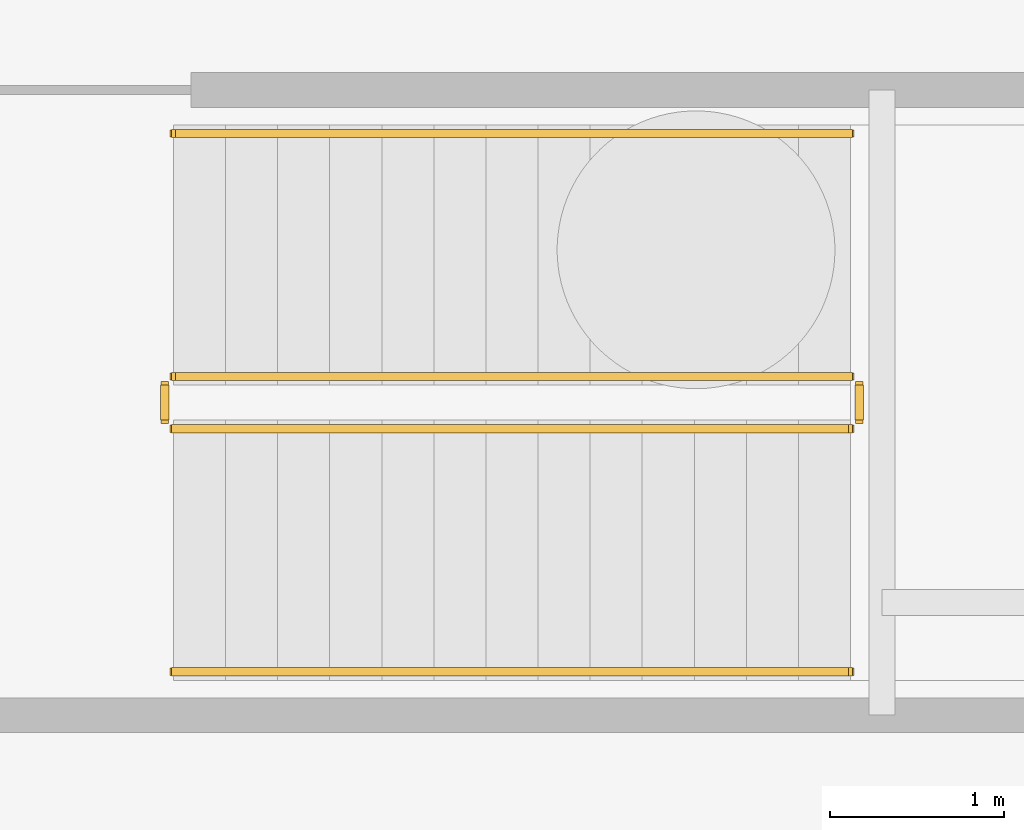
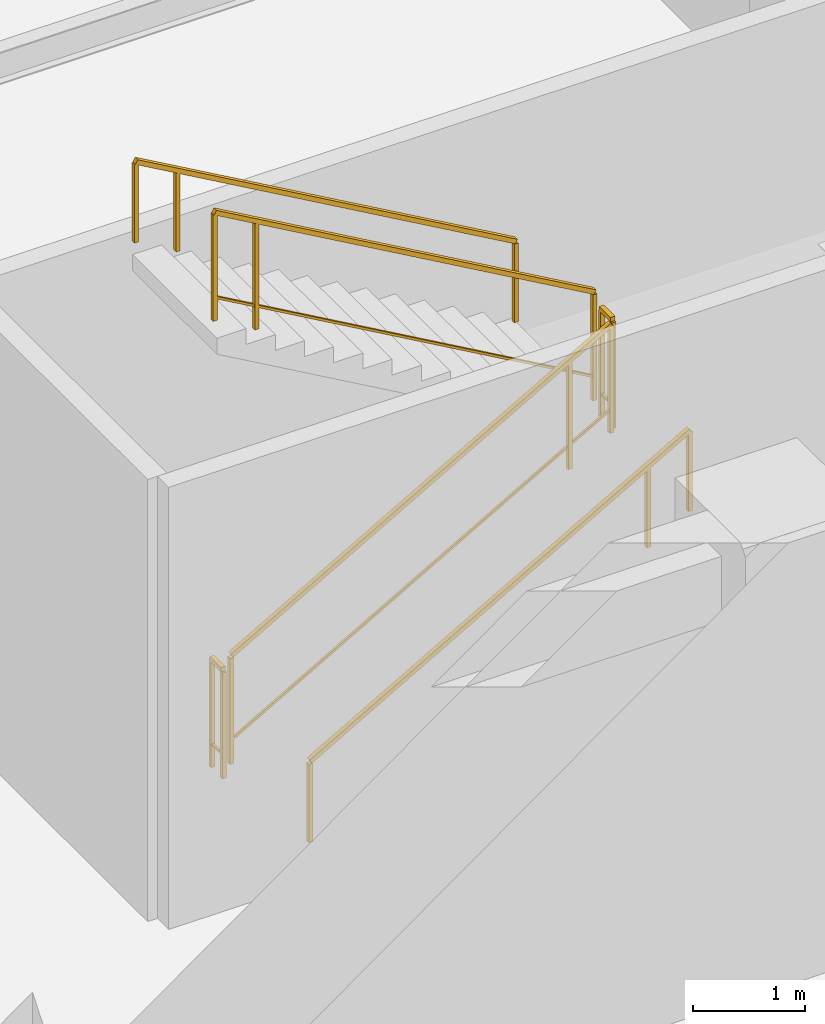
# One storey, part 11 of 13: 6 railings.
"""IFC4 building model written with IfcOpenShell, lengths in metres."""

from ifc_helpers import new_model, si_unit, direction, frame, origin, origin_2d, place, context, subcontext, project, spatial, rectangle, extrude, material, type_object, element, save


model = new_model("IFC4")

# Units and contexts
model_context = context("Model", 3, precision=1e-05, world=origin(), true_north=direction((0.0, 1.0)))
body_context = subcontext(model_context, "Body", "Model", "MODEL_VIEW")
ifc_project = project(units=[si_unit("LENGTHUNIT", "METRE"), si_unit("AREAUNIT", "SQUARE_METRE"), si_unit("VOLUMEUNIT", "CUBIC_METRE"), si_unit("PLANEANGLEUNIT", "RADIAN"), si_unit("MASSUNIT", "GRAM", prefix="KILO")], contexts=[model_context])

# Site, building, storey
site_placement = place(None, origin())
site = spatial("IfcSite", under=ifc_project, at=site_placement, CompositionType="ELEMENT")
building_placement = place(site_placement, origin())
building = spatial("IfcBuilding", under=site, at=building_placement, Name="Svetorya Sky Lyceum", CompositionType="ELEMENT")
storey_placement = place(building_placement, frame((0.0, 0.0, -4.800048828125)))
storey = spatial("IfcBuildingStorey", under=building, at=storey_placement, Name="B01", CompositionType="ELEMENT", Elevation=-4.800048828125)

# Railings
ifc_material_1 = material(Name="Painted galvanized stair well guard")
railing_type_1 = type_object("IfcRailingType", Name="RL-STR-GUARD-1200", PredefinedType="GUARDRAIL", material=ifc_material_1)
railing_1_placement = place(storey_placement, frame((68.25, 5.25, 0.17138671875)))
element("IfcRailing", 1, at=railing_1_placement, inside=storey, type_object=railing_type_1, Name="B01 ST-B2 stair guard 1", PredefinedType="GUARDRAIL", context=body_context, shape_type="SweptSolid", body=[
    extrude(rectangle(XDim=0.048095703125, YDim=0.048095703125, at=origin_2d()), frame((0.0, 0.0, 1.17578125), z_axis=(0.868219727965, 0.0, 0.496179910892), x_axis=(0.0, 1.0, 0.0)), (0.0, 0.0, 1.0), 4.491943359375),
    extrude(rectangle(XDim=0.02392578125, YDim=0.02392578125, at=origin_2d()), frame((0.0, 0.0, 0.25), z_axis=(0.868219727965, 0.0, 0.496179910892), x_axis=(0.0, 1.0, 0.0)), (0.0, 0.0, 1.0), 4.491943359375),
    extrude(rectangle(XDim=0.0419921875, YDim=0.0419921875, at=origin_2d()), origin(), (0.0, 0.0, 1.0), 1.15185546875),
    extrude(rectangle(XDim=0.0419921875, YDim=0.0419921875, at=origin_2d()), frame((3.472900390625, 0.0, 1.984619140625)), (0.0, 0.0, 1.0), 1.15185546875),
    extrude(rectangle(XDim=0.0419921875, YDim=0.0419921875, at=origin_2d()), frame((3.89990234375, 0.0, 2.228759765625)), (0.0, 0.0, 1.0), 1.15185546875),
])
railing_2_placement = place(storey_placement, frame((72.199951171875, 5.300048828125, 2.400146484375)))
element("IfcRailing", 2, at=railing_2_placement, inside=storey, type_object=railing_type_1, Name="B01 ST-B2 stair guard 2", PredefinedType="GUARDRAIL", context=body_context, shape_type="SweptSolid", body=[
    extrude(rectangle(XDim=0.048095703125, YDim=0.048095703125, at=origin_2d()), frame((0.0, 0.0, 1.17578125), z_axis=(0.0, 1.0, 0.0), x_axis=(-1.0, 0.0, 0.0)), (0.0, 0.0, 1.0), 0.199951171875),
    extrude(rectangle(XDim=0.02392578125, YDim=0.02392578125, at=origin_2d()), frame((0.0, 0.0, 0.25), z_axis=(0.0, 1.0, 0.0), x_axis=(-1.0, 0.0, 0.0)), (0.0, 0.0, 1.0), 0.199951171875),
    extrude(rectangle(XDim=0.0419921875, YDim=0.0419921875, at=origin_2d()), origin(), (0.0, 0.0, 1.0), 1.15185546875),
    extrude(rectangle(XDim=0.0419921875, YDim=0.0419921875, at=origin_2d()), frame((0.0, 0.199951171875, 0.0)), (0.0, 0.0, 1.0), 1.15185546875),
])
railing_3_placement = place(storey_placement, frame((72.14990234375, 5.550048828125, 2.571533203125)))
element("IfcRailing", 3, at=railing_3_placement, inside=storey, type_object=railing_type_1, Name="B01 ST-B2 stair guard 3", PredefinedType="GUARDRAIL", context=body_context, shape_type="SweptSolid", body=[
    extrude(rectangle(XDim=0.048095703125, YDim=0.048095703125, at=origin_2d()), frame((0.0, 0.0, 1.17578125), z_axis=(-0.868243142124, 0.0, 0.496138938357), x_axis=(0.0, -1.0, 0.0)), (0.0, 0.0, 1.0), 4.49169921875),
    extrude(rectangle(XDim=0.02392578125, YDim=0.02392578125, at=origin_2d()), frame((0.0, 0.0, 0.25), z_axis=(-0.868243142124, 0.0, 0.496138938357), x_axis=(0.0, -1.0, 0.0)), (0.0, 0.0, 1.0), 4.49169921875),
    extrude(rectangle(XDim=0.0419921875, YDim=0.0419921875, at=origin_2d()), origin(), (0.0, 0.0, 1.0), 1.15185546875),
    extrude(rectangle(XDim=0.0419921875, YDim=0.0419921875, at=origin_2d()), frame((-3.472900390625, 0.0, 1.984619140625)), (0.0, 0.0, 1.0), 1.15185546875),
    extrude(rectangle(XDim=0.0419921875, YDim=0.0419921875, at=origin_2d()), frame((-3.89990234375, 0.0, 2.228515625)), (0.0, 0.0, 1.0), 1.15185546875),
])
railing_4_placement = place(storey_placement, frame((68.199951171875, 5.300048828125, 0.0)))
element("IfcRailing", 4, at=railing_4_placement, inside=storey, type_object=railing_type_1, Name="B01 ST-B2 stair guard 4", PredefinedType="GUARDRAIL", context=body_context, shape_type="SweptSolid", body=[
    extrude(rectangle(XDim=0.048095703125, YDim=0.048095703125, at=origin_2d()), frame((0.0, 0.0, 1.17578125), z_axis=(0.0, 1.0, 0.0), x_axis=(-1.0, 0.0, 0.0)), (0.0, 0.0, 1.0), 0.199951171875),
    extrude(rectangle(XDim=0.02392578125, YDim=0.02392578125, at=origin_2d()), frame((0.0, 0.0, 0.25), z_axis=(0.0, 1.0, 0.0), x_axis=(-1.0, 0.0, 0.0)), (0.0, 0.0, 1.0), 0.199951171875),
    extrude(rectangle(XDim=0.0419921875, YDim=0.0419921875, at=origin_2d()), origin(), (0.0, 0.0, 1.0), 1.15185546875),
    extrude(rectangle(XDim=0.0419921875, YDim=0.0419921875, at=origin_2d()), frame((0.0, 0.199951171875, 0.0)), (0.0, 0.0, 1.0), 1.15185546875),
])
ifc_material_2 = material(Name="Brushed stainless AISI 304 stair handrail")
railing_type_2 = type_object("IfcRailingType", Name="RL-STR-HAND-920", PredefinedType="HANDRAIL", material=ifc_material_2)
railing_5_placement = place(storey_placement, frame((68.25, 3.85009765625, 0.17138671875)))
element("IfcRailing", 5, at=railing_5_placement, inside=storey, type_object=railing_type_2, Name="B01 ST-B2 stair handrail 1", PredefinedType="HANDRAIL", context=body_context, shape_type="SweptSolid", body=[
    extrude(rectangle(XDim=0.048095703125, YDim=0.048095703125, at=origin_2d()), frame((0.0, 0.0, 0.8759765625), z_axis=(0.868219727965, 0.0, 0.496179910892), x_axis=(0.0, 1.0, 0.0)), (0.0, 0.0, 1.0), 4.491943359375),
    extrude(rectangle(XDim=0.0419921875, YDim=0.0419921875, at=origin_2d()), origin(), (0.0, 0.0, 1.0), 0.851806640625),
    extrude(rectangle(XDim=0.0419921875, YDim=0.0419921875, at=origin_2d()), frame((3.472900390625, 0.0, 1.984619140625)), (0.0, 0.0, 1.0), 0.851806640625),
    extrude(rectangle(XDim=0.0419921875, YDim=0.0419921875, at=origin_2d()), frame((3.89990234375, 0.0, 2.228759765625)), (0.0, 0.0, 1.0), 0.851806640625),
])
railing_6_placement = place(storey_placement, frame((72.14990234375, 6.949951171875, 2.571533203125)))
element("IfcRailing", 6, at=railing_6_placement, inside=storey, type_object=railing_type_2, Name="B01 ST-B2 stair handrail 2", PredefinedType="HANDRAIL", context=body_context, shape_type="SweptSolid", body=[
    extrude(rectangle(XDim=0.048095703125, YDim=0.048095703125, at=origin_2d()), frame((0.0, 0.0, 0.8759765625), z_axis=(-0.868243142124, 0.0, 0.496138938357), x_axis=(0.0, -1.0, 0.0)), (0.0, 0.0, 1.0), 4.49169921875),
    extrude(rectangle(XDim=0.0419921875, YDim=0.0419921875, at=origin_2d()), origin(), (0.0, 0.0, 1.0), 0.851806640625),
    extrude(rectangle(XDim=0.0419921875, YDim=0.0419921875, at=origin_2d()), frame((-3.472900390625, 0.0, 1.984619140625)), (0.0, 0.0, 1.0), 0.851806640625),
    extrude(rectangle(XDim=0.0419921875, YDim=0.0419921875, at=origin_2d()), frame((-3.89990234375, 0.0, 2.228515625)), (0.0, 0.0, 1.0), 0.851806640625),
])

save(model, "model.ifc")
